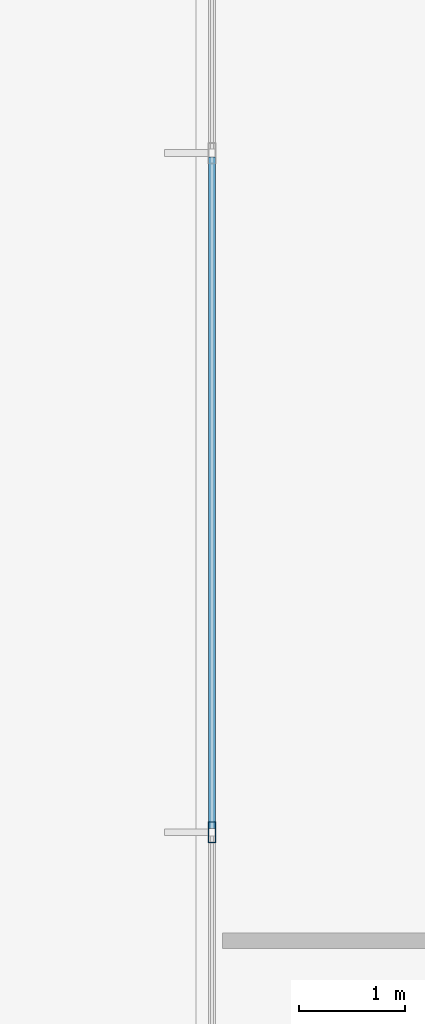
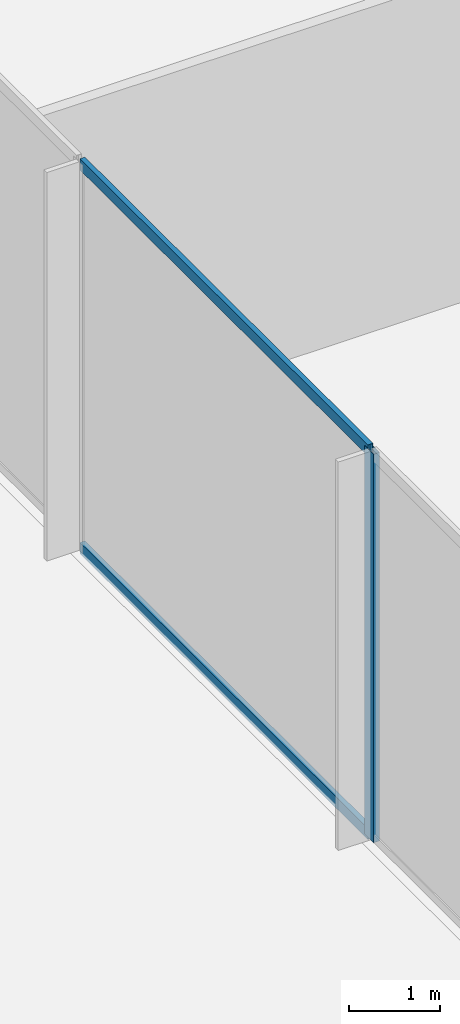
# One storey, part 11 of 38: 3 members, 1 element without a shape of its own.
"""IFC4 building model written with IfcOpenShell, lengths in metres."""

from ifc_helpers import new_model, si_unit, direction, frame, origin, origin_2d, place, context, subcontext, project, spatial, hollow_rectangle, extrude, material, layer, layer_set, material_profile, profile_set, type_object, element, aggregate, save


model = new_model("IFC4")

# Units and contexts
model_context = context("Model", 3, precision=1e-05, world=origin(), true_north=direction((0.0, 1.0)))
body_context = subcontext(model_context, "Body", "Model", "MODEL_VIEW")
ifc_project = project(units=[si_unit("LENGTHUNIT", "METRE"), si_unit("AREAUNIT", "SQUARE_METRE"), si_unit("VOLUMEUNIT", "CUBIC_METRE"), si_unit("PLANEANGLEUNIT", "RADIAN"), si_unit("MASSUNIT", "GRAM", prefix="KILO")], contexts=[model_context])

# Site, building, storey
site_placement = place(None, origin())
site = spatial("IfcSite", under=ifc_project, at=site_placement, CompositionType="ELEMENT")
building_placement = place(site_placement, origin())
building = spatial("IfcBuilding", under=site, at=building_placement, Name="Orvanel Arch Residences", CompositionType="ELEMENT")
storey_placement = place(building_placement, origin())
storey = spatial("IfcBuildingStorey", under=building, at=storey_placement, Name="L00", CompositionType="ELEMENT", Elevation=0.0)

# Curtain wall, members
ifc_material = material(Name="Bronze-anodised aluminium AA6063-T6", Category="aluminium")
ifc_layer = layer(ifc_material, 0.199951171875)
ifc_layer_set = layer_set([ifc_layer], Name="Bronze-anodised aluminium AA6063-T6")
curtain_wall_type = type_object("IfcCurtainWallType", Name="CW1-POD-SYS", PredefinedType="NOTDEFINED", material=ifc_layer_set)
curtain_wall_placement = place(storey_placement, origin())
curtain_wall = element("IfcCurtainWall", 1, at=curtain_wall_placement, inside=storey, type_object=curtain_wall_type, Name="L00 CW1-POD-SYS Unitised Curtain Wall", PredefinedType="NOTDEFINED")
ifc_material_profile_1 = material_profile(ifc_material, hollow_rectangle(XDim=0.074951171875, YDim=0.199951171875, WallThickness=0.0048828125, at=origin_2d()), Name="ALU200x75x5")
ifc_profile_set_1 = profile_set([ifc_material_profile_1], Name="Bronze-anodised aluminium AA6063-T6")
member_type_1 = type_object("IfcMemberType", Name="MUL-200x75", PredefinedType="MULLION", material=ifc_profile_set_1)
member_1_placement = place(storey_placement, frame((1.550048828125, 27.52490234375, 0.0), z_axis=(0.0, 0.0, 1.0), x_axis=(1.0, 0.0, 0.0)))
member_1 = element("IfcMember", 2, at=member_1_placement, type_object=member_type_1, Name="CW-S1 mullion 5", PredefinedType="MULLION", context=body_context, shape_type="SweptSolid", body=[
    extrude(hollow_rectangle(XDim=0.074951171875, YDim=0.199951171875, WallThickness=0.0048828125, at=origin_2d()), origin(), (0.0, 0.0, 1.0), 5.219970703125),
])
ifc_material_profile_2 = material_profile(ifc_material, hollow_rectangle(XDim=0.06494140625, YDim=0.14990234375, WallThickness=0.00390625, at=origin_2d()), Name="ALU150x65x4")
ifc_profile_set_2 = profile_set([ifc_material_profile_2], Name="Bronze-anodised aluminium AA6063-T6")
member_type_2 = type_object("IfcMemberType", Name="TRN-150x65", PredefinedType="USERDEFINED", material=ifc_profile_set_2)
member_2_placement = place(storey_placement, frame((1.550048828125, 33.9013671875, 0.032470703125), z_axis=(0.0, -1.0, 0.0), x_axis=(1.0, 0.0, 0.0)))
member_2 = element("IfcMember", 3, at=member_2_placement, type_object=member_type_2, Name="CW-S1 transom 4.1", ObjectType="TRANSOM", PredefinedType="USERDEFINED", context=body_context, shape_type="SweptSolid", body=[
    extrude(hollow_rectangle(XDim=0.06494140625, YDim=0.14990234375, WallThickness=0.00390625, at=origin_2d()), origin(), (0.0, 0.0, 1.0), 6.3388671875),
])
member_3_placement = place(storey_placement, frame((1.550048828125, 33.9013671875, 5.1875), z_axis=(0.0, -1.0, 0.0), x_axis=(1.0, 0.0, 0.0)))
member_3 = element("IfcMember", 4, at=member_3_placement, type_object=member_type_2, Name="CW-S1 transom 4.2", ObjectType="TRANSOM", PredefinedType="USERDEFINED", context=body_context, shape_type="SweptSolid", body=[
    extrude(hollow_rectangle(XDim=0.06494140625, YDim=0.14990234375, WallThickness=0.00390625, at=origin_2d()), origin(), (0.0, 0.0, 1.0), 6.3388671875),
])
aggregate(curtain_wall, [member_1, member_2, member_3])

save(model, "model.ifc")
